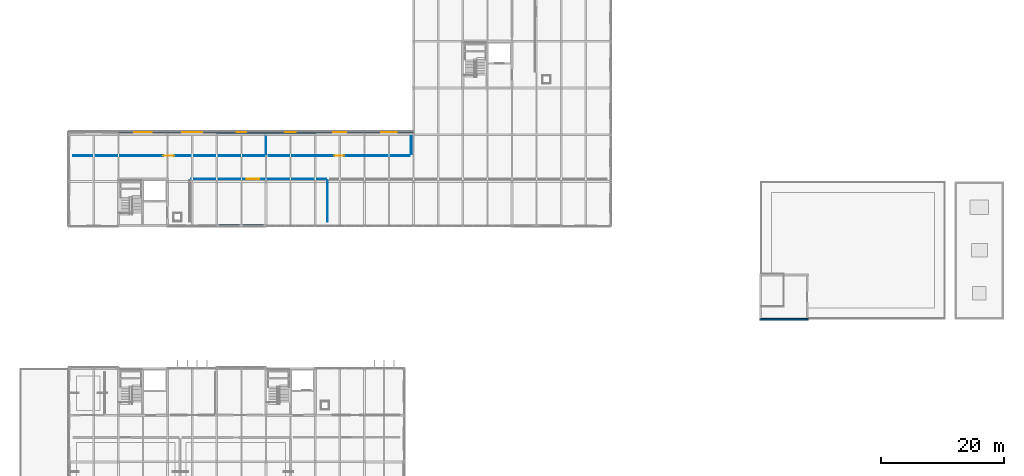
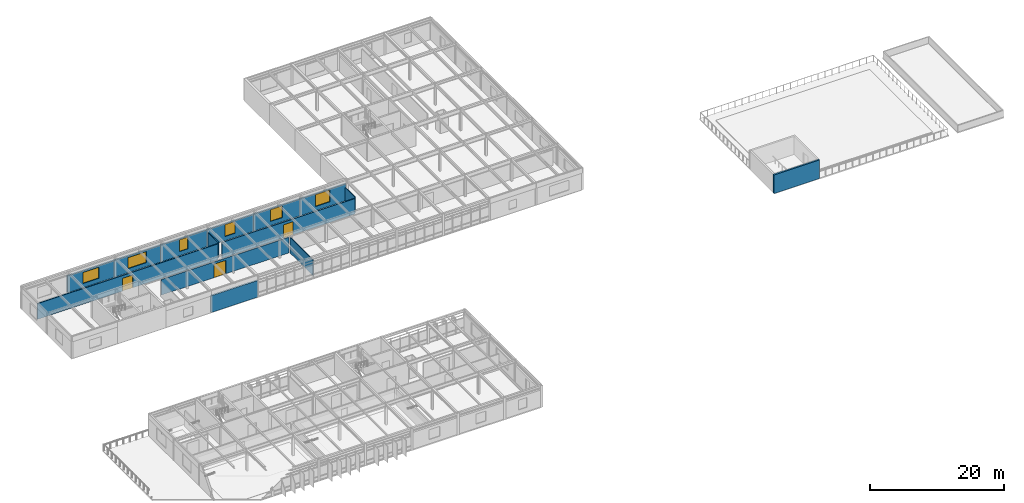
# One storey, part 33 of 45: 14 walls, 6 windows, 3 doors, 9 openings.
"""IFC4 building model written with IfcOpenShell, lengths in metres."""

from ifc_helpers import new_model, si_unit, direction, frame, frame_2d, origin, place, context, subcontext, project, spatial, rectangle, extrude, material, layer, layer_set, type_object, element, fill, save


model = new_model("IFC4")

# Units and contexts
model_context = context("Model", 3, precision=1e-05, world=origin(), true_north=direction((0.0, 1.0)))
body_context = subcontext(model_context, "Body", "Model", "MODEL_VIEW")
ifc_project = project(units=[si_unit("LENGTHUNIT", "METRE"), si_unit("AREAUNIT", "SQUARE_METRE"), si_unit("VOLUMEUNIT", "CUBIC_METRE"), si_unit("PLANEANGLEUNIT", "RADIAN"), si_unit("MASSUNIT", "GRAM", prefix="KILO")], contexts=[model_context])

# Site, building, storey
site_placement = place(None, origin())
site = spatial("IfcSite", under=ifc_project, at=site_placement, CompositionType="ELEMENT")
building_placement = place(site_placement, origin())
building = spatial("IfcBuilding", under=site, at=building_placement, Name="Zulena Civic Courthouse", CompositionType="ELEMENT")
storey_placement = place(building_placement, frame((0.0, 0.0, 29.39990234375)))
storey = spatial("IfcBuildingStorey", under=building, at=storey_placement, Name="L06", CompositionType="ELEMENT", Elevation=29.39990234375)

# Wall, opening, window
ifc_material_1 = material(Name="Buff architectural precast concrete C40/50", Category="concrete")
ifc_layer_1 = layer(ifc_material_1, 0.264892578125)
ifc_layer_set_1 = layer_set([ifc_layer_1], Name="Buff architectural precast concrete C40/50")
wall_type_1 = type_object("IfcWallType", Name="ExtWall_BuffPrecast_265", PredefinedType="STANDARD", material=ifc_layer_set_1)
wall_1_placement = place(storey_placement, frame((19.97998046875, 61.199951171875, 0.0), z_axis=(0.0, 0.0, 1.0), x_axis=(1.0, 0.0, 0.0)))
wall_1 = element("IfcWall", 1, at=wall_1_placement, inside=storey, type_object=wall_type_1, Name="ewall:V5:L06:1:1", PredefinedType="STANDARD", context=body_context, shape_type="SweptSolid", body=[
    extrude(rectangle(XDim=8.0400390625, YDim=0.264892578125, at=frame_2d((4.02001953125, 0.0))), origin(), (0.0, 0.0, 1.0), 3.06005859375),
])
opening_1_placement = place(wall_1_placement, frame((2.6201171875, 0.0, 0.75)))
opening_1 = element("IfcOpeningElement", 2, at=opening_1_placement, cuts=wall_1, Name="Opening WN07", PredefinedType="OPENING", context=body_context, shape_type="SweptSolid", body=[
    extrude(rectangle(XDim=2.800048828125, YDim=2.0, at=frame_2d((1.39990234375, 1.0))), frame((0.0, 0.142333984375, 0.0), z_axis=(0.0, -1.0, 0.0), x_axis=(1.0, 0.0, 0.0)), (0.0, 0.0, 1.0), 0.284912109375),
])
ifc_material_2 = material(Name="Double-silver low-E laminated solar-control glass", Category="glass")
window_type_1 = type_object("IfcWindowType", Name="Win_2800x2000", PartitioningType="DOUBLE_PANEL_VERTICAL", PredefinedType="WINDOW", material=ifc_material_2)
window_1_placement = place(opening_1_placement, origin())
window_1 = element("IfcWindow", 3, at=window_1_placement, inside=storey, type_object=window_type_1, Name="win:V5:L06:1:1", OverallHeight=2.0, OverallWidth=2.800048828125, PartitioningType="SINGLE_PANEL", PredefinedType="WINDOW", context=body_context, shape_type="SweptSolid", body=[
    extrude(rectangle(XDim=2.800048828125, YDim=2.0, at=frame_2d((1.39990234375, 1.0))), frame((0.0, 0.030029296875, 0.0), z_axis=(0.0, -1.0, 0.0), x_axis=(1.0, 0.0, 0.0)), (0.0, 0.0, 1.0), 0.06005859375),
])
fill(opening_1, window_1)

wall_2_placement = place(storey_placement, frame((27.97998046875, 61.199951171875, 0.0), z_axis=(0.0, 0.0, 1.0), x_axis=(1.0, 0.0, 0.0)))
wall_2 = element("IfcWall", 4, at=wall_2_placement, inside=storey, type_object=wall_type_1, Name="ewall:V5:L06:1:2", PredefinedType="STANDARD", context=body_context, shape_type="SweptSolid", body=[
    extrude(rectangle(XDim=8.0400390625, YDim=0.264892578125, at=frame_2d((4.02001953125, 0.0))), origin(), (0.0, 0.0, 1.0), 3.06005859375),
])
opening_2_placement = place(wall_2_placement, frame((2.419921875, 0.0, 0.75)))
opening_2 = element("IfcOpeningElement", 5, at=opening_2_placement, cuts=wall_2, Name="Opening WN08", PredefinedType="OPENING", context=body_context, shape_type="SweptSolid", body=[
    extrude(rectangle(XDim=3.199951171875, YDim=2.0, at=frame_2d((1.60009765625, 1.0))), frame((0.0, 0.142333984375, 0.0), z_axis=(0.0, -1.0, 0.0), x_axis=(1.0, 0.0, 0.0)), (0.0, 0.0, 1.0), 0.284912109375),
])
window_type_2 = type_object("IfcWindowType", Name="Win_3200x2000", PartitioningType="DOUBLE_PANEL_VERTICAL", PredefinedType="WINDOW", material=ifc_material_2)
window_2_placement = place(opening_2_placement, origin())
window_2 = element("IfcWindow", 6, at=window_2_placement, inside=storey, type_object=window_type_2, Name="win:V5:L06:1:2", OverallHeight=2.0, OverallWidth=3.199951171875, PartitioningType="SINGLE_PANEL", PredefinedType="WINDOW", context=body_context, shape_type="SweptSolid", body=[
    extrude(rectangle(XDim=3.199951171875, YDim=2.0, at=frame_2d((1.60009765625, 1.0))), frame((0.0, 0.030029296875, 0.0), z_axis=(0.0, -1.0, 0.0), x_axis=(1.0, 0.0, 0.0)), (0.0, 0.0, 1.0), 0.06005859375),
])
fill(opening_2, window_2)

wall_3_placement = place(storey_placement, frame((35.97998046875, 61.199951171875, 0.0), z_axis=(0.0, 0.0, 1.0), x_axis=(1.0, 0.0, 0.0)))
wall_3 = element("IfcWall", 7, at=wall_3_placement, inside=storey, type_object=wall_type_1, Name="ewall:V5:L06:1:3", PredefinedType="STANDARD", context=body_context, shape_type="SweptSolid", body=[
    extrude(rectangle(XDim=8.0400390625, YDim=0.264892578125, at=frame_2d((4.02001953125, 0.0))), origin(), (0.0, 0.0, 1.0), 3.06005859375),
])
opening_3_placement = place(wall_3_placement, frame((3.27001953125, 0.0, 0.75)))
opening_3 = element("IfcOpeningElement", 8, at=opening_3_placement, cuts=wall_3, Name="Opening WN09", PredefinedType="OPENING", context=body_context, shape_type="SweptSolid", body=[
    extrude(rectangle(XDim=1.5, YDim=2.14990234375, at=frame_2d((0.75, 1.074951171875))), frame((0.0, 0.142333984375, 0.0), z_axis=(0.0, -1.0, 0.0), x_axis=(1.0, 0.0, 0.0)), (0.0, 0.0, 1.0), 0.284912109375),
])
window_type_3 = type_object("IfcWindowType", Name="Win_1500x2150", PartitioningType="SINGLE_PANEL", PredefinedType="WINDOW", material=ifc_material_2)
window_3_placement = place(opening_3_placement, origin())
window_3 = element("IfcWindow", 9, at=window_3_placement, inside=storey, type_object=window_type_3, Name="win:V5:L06:1:3", OverallHeight=2.14990234375, OverallWidth=1.5, PartitioningType="SINGLE_PANEL", PredefinedType="WINDOW", context=body_context, shape_type="SweptSolid", body=[
    extrude(rectangle(XDim=1.5, YDim=2.14990234375, at=frame_2d((0.75, 1.074951171875))), frame((0.0, 0.030029296875, 0.0), z_axis=(0.0, -1.0, 0.0), x_axis=(1.0, 0.0, 0.0)), (0.0, 0.0, 1.0), 0.06005859375),
])
fill(opening_3, window_3)

wall_4_placement = place(storey_placement, frame((43.97998046875, 61.199951171875, 0.0), z_axis=(0.0, 0.0, 1.0), x_axis=(1.0, 0.0, 0.0)))
wall_4 = element("IfcWall", 10, at=wall_4_placement, inside=storey, type_object=wall_type_1, Name="ewall:V5:L06:1:4", PredefinedType="STANDARD", context=body_context, shape_type="SweptSolid", body=[
    extrude(rectangle(XDim=8.0400390625, YDim=0.264892578125, at=frame_2d((4.02001953125, 0.0))), origin(), (0.0, 0.0, 1.0), 3.06005859375),
])
opening_4_placement = place(wall_4_placement, frame((3.14501953125, 0.0, 0.75)))
opening_4 = element("IfcOpeningElement", 11, at=opening_4_placement, cuts=wall_4, Name="Opening WN10", PredefinedType="OPENING", context=body_context, shape_type="SweptSolid", body=[
    extrude(rectangle(XDim=1.75, YDim=2.14990234375, at=frame_2d((0.875, 1.074951171875))), frame((0.0, 0.142333984375, 0.0), z_axis=(0.0, -1.0, 0.0), x_axis=(1.0, 0.0, 0.0)), (0.0, 0.0, 1.0), 0.284912109375),
])
window_type_4 = type_object("IfcWindowType", Name="Win_1750x2150", PartitioningType="SINGLE_PANEL", PredefinedType="WINDOW", material=ifc_material_2)
window_4_placement = place(opening_4_placement, origin())
window_4 = element("IfcWindow", 12, at=window_4_placement, inside=storey, type_object=window_type_4, Name="win:V5:L06:1:4", OverallHeight=2.14990234375, OverallWidth=1.75, PartitioningType="SINGLE_PANEL", PredefinedType="WINDOW", context=body_context, shape_type="SweptSolid", body=[
    extrude(rectangle(XDim=1.75, YDim=2.14990234375, at=frame_2d((0.875, 1.074951171875))), frame((0.0, 0.030029296875, 0.0), z_axis=(0.0, -1.0, 0.0), x_axis=(1.0, 0.0, 0.0)), (0.0, 0.0, 1.0), 0.06005859375),
])
fill(opening_4, window_4)

wall_5_placement = place(storey_placement, frame((51.97998046875, 61.199951171875, 0.0), z_axis=(0.0, 0.0, 1.0), x_axis=(1.0, 0.0, 0.0)))
wall_5 = element("IfcWall", 13, at=wall_5_placement, inside=storey, type_object=wall_type_1, Name="ewall:V5:L06:1:5", PredefinedType="STANDARD", context=body_context, shape_type="SweptSolid", body=[
    extrude(rectangle(XDim=8.0400390625, YDim=0.264892578125, at=frame_2d((4.02001953125, 0.0))), origin(), (0.0, 0.0, 1.0), 3.06005859375),
])
opening_5_placement = place(wall_5_placement, frame((2.969970703125, 0.0, 0.75)))
opening_5 = element("IfcOpeningElement", 14, at=opening_5_placement, cuts=wall_5, Name="Opening WN11", PredefinedType="OPENING", context=body_context, shape_type="SweptSolid", body=[
    extrude(rectangle(XDim=2.10009765625, YDim=2.14990234375, at=frame_2d((1.050048828125, 1.074951171875))), frame((0.0, 0.142333984375, 0.0), z_axis=(0.0, -1.0, 0.0), x_axis=(1.0, 0.0, 0.0)), (0.0, 0.0, 1.0), 0.284912109375),
])
window_type_5 = type_object("IfcWindowType", Name="Win_2100x2150", PartitioningType="DOUBLE_PANEL_VERTICAL", PredefinedType="WINDOW", material=ifc_material_2)
window_5_placement = place(opening_5_placement, origin())
window_5 = element("IfcWindow", 15, at=window_5_placement, inside=storey, type_object=window_type_5, Name="win:V5:L06:1:5", OverallHeight=2.14990234375, OverallWidth=2.10009765625, PartitioningType="SINGLE_PANEL", PredefinedType="WINDOW", context=body_context, shape_type="SweptSolid", body=[
    extrude(rectangle(XDim=2.10009765625, YDim=2.14990234375, at=frame_2d((1.050048828125, 1.074951171875))), frame((0.0, 0.030029296875, 0.0), z_axis=(0.0, -1.0, 0.0), x_axis=(1.0, 0.0, 0.0)), (0.0, 0.0, 1.0), 0.06005859375),
])
fill(opening_5, window_5)

wall_6_placement = place(storey_placement, frame((59.97998046875, 61.199951171875, 0.0), z_axis=(0.0, 0.0, 1.0), x_axis=(1.0, 0.0, 0.0)))
wall_6 = element("IfcWall", 16, at=wall_6_placement, inside=storey, type_object=wall_type_1, Name="ewall:V5:L06:1:6", PredefinedType="STANDARD", context=body_context, shape_type="SweptSolid", body=[
    extrude(rectangle(XDim=8.0400390625, YDim=0.264892578125, at=frame_2d((4.02001953125, 0.0))), origin(), (0.0, 0.0, 1.0), 3.06005859375),
])
opening_6_placement = place(wall_6_placement, frame((2.77001953125, 0.0, 0.75)))
opening_6 = element("IfcOpeningElement", 17, at=opening_6_placement, cuts=wall_6, Name="Opening WN12", PredefinedType="OPENING", context=body_context, shape_type="SweptSolid", body=[
    extrude(rectangle(XDim=2.5, YDim=2.14990234375, at=frame_2d((1.25, 1.074951171875))), frame((0.0, 0.142333984375, 0.0), z_axis=(0.0, -1.0, 0.0), x_axis=(1.0, 0.0, 0.0)), (0.0, 0.0, 1.0), 0.284912109375),
])
window_type_6 = type_object("IfcWindowType", Name="Win_2500x2150", PartitioningType="DOUBLE_PANEL_VERTICAL", PredefinedType="WINDOW", material=ifc_material_2)
window_6_placement = place(opening_6_placement, origin())
window_6 = element("IfcWindow", 18, at=window_6_placement, inside=storey, type_object=window_type_6, Name="win:V5:L06:1:6", OverallHeight=2.14990234375, OverallWidth=2.5, PartitioningType="SINGLE_PANEL", PredefinedType="WINDOW", context=body_context, shape_type="SweptSolid", body=[
    extrude(rectangle(XDim=2.5, YDim=2.14990234375, at=frame_2d((1.25, 1.074951171875))), frame((0.0, 0.030029296875, 0.0), z_axis=(0.0, -1.0, 0.0), x_axis=(1.0, 0.0, 0.0)), (0.0, 0.0, 1.0), 0.06005859375),
])
fill(opening_6, window_6)

# Walls
wall_7_placement = place(storey_placement, frame((44.02001953125, 46.0, 0.0), z_axis=(0.0, 0.0, 1.0), x_axis=(-1.0, 0.0, 0.0)))
element("IfcWall", 19, at=wall_7_placement, inside=storey, type_object=wall_type_1, Name="ewall:V5:L06:5:7", PredefinedType="STANDARD", context=body_context, shape_type="SweptSolid", body=[
    extrude(rectangle(XDim=8.0400390625, YDim=0.264892578125, at=frame_2d((4.02001953125, 0.0))), origin(), (0.0, 0.0, 1.0), 3.06005859375),
])
ifc_material_3 = material(Name="Travertine-cream architectural precast concrete C40/50", Category="masonry")
ifc_layer_2 = layer(ifc_material_3, 0.280029296875)
ifc_layer_set_2 = layer_set([ifc_layer_2], Name="Travertine-cream architectural precast concrete C40/50")
wall_type_2 = type_object("IfcWallType", Name="ExtWall_TravPrecast_280", PredefinedType="STANDARD", material=ifc_layer_set_2)
wall_8_placement = place(storey_placement, frame((132.139892578125, 30.800048828125, 0.0), z_axis=(0.0, 0.0, 1.0), x_axis=(-1.0, 0.0, 0.0)))
element("IfcWall", 20, at=wall_8_placement, inside=storey, type_object=wall_type_2, Name="ewall:hh:TR-V3-L06:S", PredefinedType="STANDARD", context=body_context, shape_type="SweptSolid", body=[
    extrude(rectangle(XDim=7.8798828125, YDim=0.280029296875, at=frame_2d((3.93994140625, 0.0))), origin(), (0.0, 0.0, 1.0), 3.400146484375),
])

# Wall, opening, door
ifc_material_4 = material(Name="Acoustic fire-rated gypsum board assembly", Category="masonry")
ifc_layer_3 = layer(ifc_material_4, 0.14599609375)
ifc_layer_set_3 = layer_set([ifc_layer_3], Name="Acoustic fire-rated gypsum board assembly")
wall_type_3 = type_object("IfcWallType", Name="PartWall_Chambers_146", PredefinedType="PARTITIONING", material=ifc_layer_set_3)
wall_9_placement = place(storey_placement, frame((31.820068359375, 53.60009765625, 0.0), z_axis=(0.0, 0.0, 1.0), x_axis=(1.0, 0.0, 0.0)))
wall_9 = element("IfcWall", 21, at=wall_9_placement, inside=storey, type_object=wall_type_3, Name="pwall:L06:421:0", PredefinedType="PARTITIONING", context=body_context, shape_type="SweptSolid", body=[
    extrude(rectangle(XDim=21.9599609375, YDim=0.14599609375, at=frame_2d((10.97998046875, 0.0))), origin(), (0.0, 0.0, 1.0), 2.85009765625),
])
opening_7_placement = place(wall_9_placement, frame((9.054931640625, 0.0, 0.0)))
opening_7 = element("IfcOpeningElement", 22, at=opening_7_placement, cuts=wall_9, Name="Opening ID01", PredefinedType="OPENING", context=body_context, shape_type="SweptSolid", body=[
    extrude(rectangle(XDim=2.050048828125, YDim=2.449951171875, at=frame_2d((1.02490234375, 1.22509765625))), frame((0.0, 0.0830078125, 0.0), z_axis=(0.0, -1.0, 0.0), x_axis=(1.0, 0.0, 0.0)), (0.0, 0.0, 1.0), 0.166015625),
])
ifc_material_5 = material(Name="Solid-core acoustic hardwood timber", Category="wood")
door_type_1 = type_object("IfcDoorType", Name="IntDoor_Ceremonial_2050x2450", OperationType="DOUBLE_DOOR_SINGLE_SWING", PredefinedType="DOOR", material=ifc_material_5)
door_1_placement = place(opening_7_placement, origin())
door_1 = element("IfcDoor", 23, at=door_1_placement, inside=storey, type_object=door_type_1, Name="door:rm:L06:421", OperationType="DOUBLE_DOOR_SINGLE_SWING", OverallHeight=2.449951171875, OverallWidth=2.050048828125, PredefinedType="DOOR", context=body_context, shape_type="SweptSolid", body=[
    extrude(rectangle(XDim=2.050048828125, YDim=2.449951171875, at=frame_2d((1.02490234375, 1.22509765625))), frame((0.0, 0.02490234375, 0.0), z_axis=(0.0, -1.0, 0.0), x_axis=(1.0, 0.0, 0.0)), (0.0, 0.0, 1.0), 0.050048828125),
])
fill(opening_7, door_1)

# Wall
wall_10_placement = place(storey_placement, frame((54.0, 46.6201171875, 0.0), z_axis=(0.0, 0.0, 1.0), x_axis=(0.0, 1.0, 0.0)))
element("IfcWall", 24, at=wall_10_placement, inside=storey, type_object=wall_type_3, Name="pwall:L06:421:2", PredefinedType="PARTITIONING", context=body_context, shape_type="SweptSolid", body=[
    extrude(rectangle(XDim=6.759765625, YDim=0.14599609375, at=frame_2d((3.3798828125, 0.0))), origin(), (0.0, 0.0, 1.0), 2.85009765625),
])

# Wall, opening, door
ifc_layer_4 = layer(ifc_material_4, 0.162109375)
ifc_layer_set_4 = layer_set([ifc_layer_4], Name="Acoustic fire-rated gypsum board assembly")
wall_type_4 = type_object("IfcWallType", Name="PartWall_Jury_162", PredefinedType="PARTITIONING", material=ifc_layer_set_4)
wall_11_placement = place(storey_placement, frame((12.6201171875, 57.39990234375, 0.0), z_axis=(0.0, 0.0, 1.0), x_axis=(1.0, 0.0, 0.0)))
wall_11 = element("IfcWall", 25, at=wall_11_placement, inside=storey, type_object=wall_type_4, Name="pwall:L06:423:0", PredefinedType="PARTITIONING", context=body_context, shape_type="SweptSolid", body=[
    extrude(rectangle(XDim=31.159912109375, YDim=0.162109375, at=frame_2d((15.580078125, 0.0))), origin(), (0.0, 0.0, 1.0), 2.85009765625),
])
opening_8_placement = place(wall_11_placement, frame((14.705078125, 0.0, 0.0)))
opening_8 = element("IfcOpeningElement", 26, at=opening_8_placement, cuts=wall_11, Name="Opening ID03", PredefinedType="OPENING", context=body_context, shape_type="SweptSolid", body=[
    extrude(rectangle(XDim=1.75, YDim=2.35009765625, at=frame_2d((0.875, 1.175048828125))), frame((0.0, 0.091064453125, 0.0), z_axis=(0.0, -1.0, 0.0), x_axis=(1.0, 0.0, 0.0)), (0.0, 0.0, 1.0), 0.18212890625),
])
door_type_2 = type_object("IfcDoorType", Name="IntDoor_CourtPublic_1750x2350", OperationType="DOUBLE_DOOR_SINGLE_SWING", PredefinedType="DOOR", material=ifc_material_5)
door_2_placement = place(opening_8_placement, origin())
door_2 = element("IfcDoor", 27, at=door_2_placement, inside=storey, type_object=door_type_2, Name="door:rm:L06:423", OperationType="DOUBLE_DOOR_SINGLE_SWING", OverallHeight=2.35009765625, OverallWidth=1.75, PredefinedType="DOOR", context=body_context, shape_type="SweptSolid", body=[
    extrude(rectangle(XDim=1.75, YDim=2.35009765625, at=frame_2d((0.875, 1.175048828125))), frame((0.0, 0.02490234375, 0.0), z_axis=(0.0, -1.0, 0.0), x_axis=(1.0, 0.0, 0.0)), (0.0, 0.0, 1.0), 0.050048828125),
])
fill(opening_8, door_2)

# Wall
wall_12_placement = place(storey_placement, frame((44.0, 57.6201171875, 0.0), z_axis=(0.0, 0.0, 1.0), x_axis=(0.0, 1.0, 0.0)))
element("IfcWall", 28, at=wall_12_placement, inside=storey, type_object=wall_type_4, Name="pwall:L06:423:1", PredefinedType="PARTITIONING", context=body_context, shape_type="SweptSolid", body=[
    extrude(rectangle(XDim=2.9599609375, YDim=0.162109375, at=frame_2d((1.47998046875, 0.0))), origin(), (0.0, 0.0, 1.0), 2.85009765625),
])

# Wall, opening, door
ifc_material_6 = material(Name="Insulated blockwork masonry ASTM C90", Category="masonry")
ifc_layer_5 = layer(ifc_material_6, 0.1279296875)
ifc_layer_set_5 = layer_set([ifc_layer_5], Name="Insulated blockwork masonry ASTM C90")
wall_type_5 = type_object("IfcWallType", Name="PartWall_WetRoom_128", PredefinedType="PARTITIONING", material=ifc_layer_set_5)
wall_13_placement = place(storey_placement, frame((44.419921875, 57.39990234375, 0.0), z_axis=(0.0, 0.0, 1.0), x_axis=(1.0, 0.0, 0.0)))
wall_13 = element("IfcWall", 29, at=wall_13_placement, inside=storey, type_object=wall_type_5, Name="pwall:L06:424:0", PredefinedType="PARTITIONING", context=body_context, shape_type="SweptSolid", body=[
    extrude(rectangle(XDim=22.9599609375, YDim=0.1279296875, at=frame_2d((11.47998046875, 0.0))), origin(), (0.0, 0.0, 1.0), 2.85009765625),
])
opening_9_placement = place(wall_13_placement, frame((10.679931640625, 0.0, 0.0)))
opening_9 = element("IfcOpeningElement", 30, at=opening_9_placement, cuts=wall_13, Name="Opening ID04", PredefinedType="OPENING", context=body_context, shape_type="SweptSolid", body=[
    extrude(rectangle(XDim=1.60009765625, YDim=2.35009765625, at=frame_2d((0.800048828125, 1.175048828125))), frame((0.0, 0.073974609375, 0.0), z_axis=(0.0, -1.0, 0.0), x_axis=(1.0, 0.0, 0.0)), (0.0, 0.0, 1.0), 0.14794921875),
])
door_type_3 = type_object("IfcDoorType", Name="IntDoor_CourtPublic_1600x2350", OperationType="DOUBLE_DOOR_SINGLE_SWING", PredefinedType="DOOR", material=ifc_material_5)
door_3_placement = place(opening_9_placement, origin())
door_3 = element("IfcDoor", 31, at=door_3_placement, inside=storey, type_object=door_type_3, Name="door:rm:L06:424", OperationType="DOUBLE_DOOR_SINGLE_SWING", OverallHeight=2.35009765625, OverallWidth=1.60009765625, PredefinedType="DOOR", context=body_context, shape_type="SweptSolid", body=[
    extrude(rectangle(XDim=1.60009765625, YDim=2.35009765625, at=frame_2d((0.800048828125, 1.175048828125))), frame((0.0, 0.02490234375, 0.0), z_axis=(0.0, -1.0, 0.0), x_axis=(1.0, 0.0, 0.0)), (0.0, 0.0, 1.0), 0.050048828125),
])
fill(opening_9, door_3)

# Wall
wall_14_placement = place(storey_placement, frame((67.60009765625, 57.6201171875, 0.0), z_axis=(0.0, 0.0, 1.0), x_axis=(0.0, 1.0, 0.0)))
element("IfcWall", 32, at=wall_14_placement, inside=storey, type_object=wall_type_5, Name="pwall:L06:424:1", PredefinedType="PARTITIONING", context=body_context, shape_type="SweptSolid", body=[
    extrude(rectangle(XDim=2.9599609375, YDim=0.1279296875, at=frame_2d((1.47998046875, 0.0))), origin(), (0.0, 0.0, 1.0), 2.85009765625),
])

save(model, "model.ifc")
